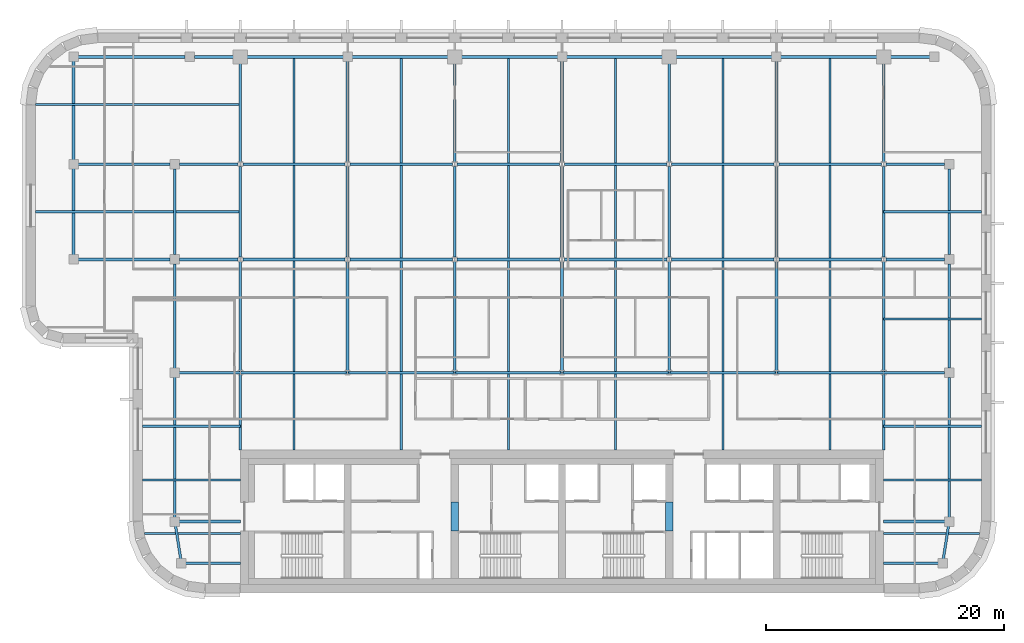
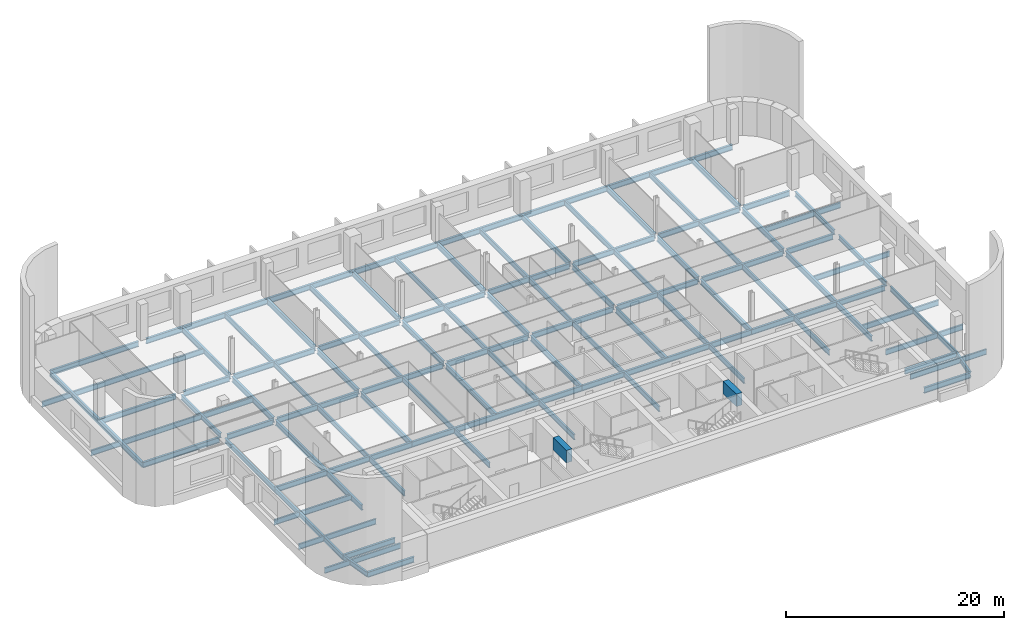
# One storey, part 5 of 16: 80 beams.
"""IFC4 building model written with IfcOpenShell, lengths in metres."""

from ifc_helpers import new_model, si_unit, direction, frame, origin, origin_2d, place, context, subcontext, project, spatial, rectangle, i_section, extrude, material, material_profile, profile_set, type_object, element, save


model = new_model("IFC4")

# Units and contexts
model_context = context("Model", 3, precision=1e-05, world=origin(), true_north=direction((0.0, 1.0)))
body_context = subcontext(model_context, "Body", "Model", "MODEL_VIEW")
ifc_project = project(units=[si_unit("LENGTHUNIT", "METRE"), si_unit("AREAUNIT", "SQUARE_METRE"), si_unit("VOLUMEUNIT", "CUBIC_METRE"), si_unit("PLANEANGLEUNIT", "RADIAN"), si_unit("MASSUNIT", "GRAM", prefix="KILO")], contexts=[model_context])

# Site, building, storey
site_placement = place(None, origin())
site = spatial("IfcSite", under=ifc_project, at=site_placement, CompositionType="ELEMENT")
building_placement = place(site_placement, origin())
building = spatial("IfcBuilding", under=site, at=building_placement, Name="Zellij Exchange Tower", CompositionType="ELEMENT")
storey_placement = place(building_placement, frame((0.0, 0.0, 244.5)))
storey = spatial("IfcBuildingStorey", under=building, at=storey_placement, Name="L57", CompositionType="ELEMENT", Elevation=244.5)

# Beams
ifc_material_1 = material(Name="Concrete C50/60", Category="concrete")
ifc_material_profile_1 = material_profile(ifc_material_1, rectangle(XDim=0.60009765625, YDim=1.39990234375, at=origin_2d()), Name="CORE-CB 600x1400 C50/60")
ifc_profile_set_1 = profile_set([ifc_material_profile_1], Name="Concrete C50/60")
beam_type_1 = type_object("IfcBeamType", Name="CORE-CB 600x1400 C50/60", PredefinedType="BEAM", material=ifc_profile_set_1)
for number, where, z_axis, x_axis, name in (
    (1, (-9.0, -8.800048828125, 3.10009765625), (0.0, 1.0, 0.0), (-1.0, 0.0, 0.0), "Core coupling beam x -9 L57"),
    (2, (9.0, -8.800048828125, 3.10009765625), (0.0, 1.0, 0.0), (-1.0, 0.0, 0.0), "Core coupling beam x 9 L57"),
):
    element("IfcBeam", number, at=place(storey_placement, frame(where, z_axis=z_axis, x_axis=x_axis)), inside=storey, type_object=beam_type_1, Name=name, PredefinedType="BEAM", context=body_context, shape_type="SweptSolid", body=[
        extrude(rectangle(XDim=0.60009765625, YDim=1.39990234375, at=origin_2d()), origin(), (0.0, 0.0, 1.0), 2.425048828125),
    ])
ifc_material_2 = material(Name="Structural steel ASTM A992 Gr 50", Category="steel")
ifc_material_profile_2 = material_profile(ifc_material_2, i_section(OverallWidth=0.177978515625, OverallDepth=0.599365234375, WebThickness=0.010009765625, FlangeThickness=0.012939453125, at=origin_2d()), Name="W24x55")
ifc_profile_set_2 = profile_set([ifc_material_profile_2], Name="Structural steel ASTM A992 Gr 50")
beam_type_2 = type_object("IfcBeamType", Name="STR-BEAM W24x55", PredefinedType="BEAM", material=ifc_profile_set_2)
for number, where, z_axis, x_axis, name in (
    (3, (-22.5, -2.0, -0.499755859375), (0.0, 1.0, 0.0), (-1.0, 0.0, 0.0), "B4"),
    (4, (-13.5, -2.0, -0.499755859375), (0.0, 1.0, 0.0), (-1.0, 0.0, 0.0), "B4"),
    (5, (-4.5, -2.0, -0.499755859375), (0.0, 1.0, 0.0), (-1.0, 0.0, 0.0), "B4"),
    (6, (4.5, -2.0, -0.499755859375), (0.0, 1.0, 0.0), (-1.0, 0.0, 0.0), "B4"),
    (7, (13.5, -2.0, -0.499755859375), (0.0, 1.0, 0.0), (-1.0, 0.0, 0.0), "B4"),
    (8, (22.5, -2.0, -0.499755859375), (0.0, 1.0, 0.0), (-1.0, 0.0, 0.0), "B4"),
):
    element("IfcBeam", number, at=place(storey_placement, frame(where, z_axis=z_axis, x_axis=x_axis)), inside=storey, type_object=beam_type_2, Name=name, PredefinedType="BEAM", context=body_context, shape_type="SweptSolid", body=[
        extrude(i_section(OverallWidth=0.177978515625, OverallDepth=0.599365234375, WebThickness=0.010009765625, FlangeThickness=0.012939453125, at=origin_2d()), origin(), (0.0, 0.0, 1.0), 33.1142578125),
    ])
beam_1_placement = place(storey_placement, frame((-35.06103515625, -9.0, -0.499755859375), z_axis=(1.0, 0.0, 0.0), x_axis=(0.0, 1.0, 0.0)))
element("IfcBeam", 9, at=beam_1_placement, inside=storey, type_object=beam_type_2, Name="B4", PredefinedType="BEAM", context=body_context, shape_type="SweptSolid", body=[
    extrude(i_section(OverallWidth=0.177978515625, OverallDepth=0.599365234375, WebThickness=0.010009765625, FlangeThickness=0.012939453125, at=origin_2d()), origin(), (0.0, 0.0, 1.0), 8.06103515625),
])
for number, where, z_axis, x_axis, name in (
    (10, (-35.199951171875, -4.5, -0.499755859375), (1.0, 0.0, 0.0), (0.0, 1.0, 0.0), "B4"),
    (11, (-35.199951171875, 0.0, -0.499755859375), (1.0, 0.0, 0.0), (0.0, 1.0, 0.0), "B4"),
):
    element("IfcBeam", number, at=place(storey_placement, frame(where, z_axis=z_axis, x_axis=x_axis)), inside=storey, type_object=beam_type_2, Name=name, PredefinedType="BEAM", context=body_context, shape_type="SweptSolid", body=[
        extrude(i_section(OverallWidth=0.177978515625, OverallDepth=0.599365234375, WebThickness=0.010009765625, FlangeThickness=0.012939453125, at=origin_2d()), origin(), (0.0, 0.0, 1.0), 8.199951171875),
    ])
beam_2_placement = place(storey_placement, frame((-44.199951171875, 18.0, -0.499755859375), z_axis=(1.0, 0.0, 0.0), x_axis=(0.0, 1.0, 0.0)))
element("IfcBeam", 12, at=beam_2_placement, inside=storey, type_object=beam_type_2, Name="B4", PredefinedType="BEAM", context=body_context, shape_type="SweptSolid", body=[
    extrude(i_section(OverallWidth=0.177978515625, OverallDepth=0.599365234375, WebThickness=0.010009765625, FlangeThickness=0.012939453125, at=origin_2d()), origin(), (0.0, 0.0, 1.0), 17.199951171875),
])
beam_3_placement = place(storey_placement, frame((-44.193115234375, 27.0, -0.499755859375), z_axis=(1.0, 0.0, 0.0), x_axis=(0.0, 1.0, 0.0)))
element("IfcBeam", 13, at=beam_3_placement, inside=storey, type_object=beam_type_2, Name="B4", PredefinedType="BEAM", context=body_context, shape_type="SweptSolid", body=[
    extrude(i_section(OverallWidth=0.177978515625, OverallDepth=0.599365234375, WebThickness=0.010009765625, FlangeThickness=0.012939453125, at=origin_2d()), origin(), (0.0, 0.0, 1.0), 17.193115234375),
])
beam_4_placement = place(storey_placement, frame((27.0, -9.0, -0.499755859375), z_axis=(1.0, 0.0, 0.0), x_axis=(0.0, 1.0, 0.0)))
element("IfcBeam", 14, at=beam_4_placement, inside=storey, type_object=beam_type_2, Name="B4", PredefinedType="BEAM", context=body_context, shape_type="SweptSolid", body=[
    extrude(i_section(OverallWidth=0.177978515625, OverallDepth=0.599365234375, WebThickness=0.010009765625, FlangeThickness=0.012939453125, at=origin_2d()), origin(), (0.0, 0.0, 1.0), 8.06103515625),
])
for number, where, z_axis, x_axis, name in (
    (15, (27.0, -4.5, -0.499755859375), (1.0, 0.0, 0.0), (0.0, 1.0, 0.0), "B4"),
    (16, (27.0, 0.0, -0.499755859375), (1.0, 0.0, 0.0), (0.0, 1.0, 0.0), "B4"),
    (17, (27.0, 9.0, -0.499755859375), (1.0, 0.0, 0.0), (0.0, 1.0, 0.0), "B4"),
    (18, (27.0, 18.0, -0.499755859375), (1.0, 0.0, 0.0), (0.0, 1.0, 0.0), "B4"),
):
    element("IfcBeam", number, at=place(storey_placement, frame(where, z_axis=z_axis, x_axis=x_axis)), inside=storey, type_object=beam_type_2, Name=name, PredefinedType="BEAM", context=body_context, shape_type="SweptSolid", body=[
        extrude(i_section(OverallWidth=0.177978515625, OverallDepth=0.599365234375, WebThickness=0.010009765625, FlangeThickness=0.012939453125, at=origin_2d()), origin(), (0.0, 0.0, 1.0), 8.199951171875),
    ])
ifc_material_profile_3 = material_profile(ifc_material_2, i_section(OverallWidth=0.209228515625, OverallDepth=0.533447265625, WebThickness=0.01025390625, FlangeThickness=0.015625, at=origin_2d()), Name="W21x62")
ifc_profile_set_3 = profile_set([ifc_material_profile_3], Name="Structural steel ASTM A992 Gr 50")
beam_type_3 = type_object("IfcBeamType", Name="STR-EDGE GIRDER W21x62", PredefinedType="BEAM", material=ifc_profile_set_3)
beam_5_placement = place(storey_placement, frame((-31.949951171875, -11.5, -0.466796875), z_axis=(-0.155251283593, 0.987875011802, 0.0), x_axis=(-0.987875011802, -0.155251283593, 0.0)))
element("IfcBeam", 19, at=beam_5_placement, inside=storey, type_object=beam_type_3, Name="EB3", PredefinedType="BEAM", context=body_context, shape_type="SweptSolid", body=[
    extrude(i_section(OverallWidth=0.209228515625, OverallDepth=0.533447265625, WebThickness=0.01025390625, FlangeThickness=0.015625, at=origin_2d()), origin(), (0.0, 0.0, 1.0), 3.54296875),
])
beam_6_placement = place(storey_placement, frame((-32.5, -8.0, -0.466796875), z_axis=(0.0, 1.0, 0.0), x_axis=(-1.0, 0.0, 0.0)))
element("IfcBeam", 20, at=beam_6_placement, inside=storey, type_object=beam_type_3, Name="EB3", PredefinedType="BEAM", context=body_context, shape_type="SweptSolid", body=[
    extrude(i_section(OverallWidth=0.209228515625, OverallDepth=0.533447265625, WebThickness=0.01025390625, FlangeThickness=0.015625, at=origin_2d()), origin(), (0.0, 0.0, 1.0), 12.5),
])
beam_7_placement = place(storey_placement, frame((-32.5, 4.5, -0.466796875), z_axis=(0.0, 1.0, 0.0), x_axis=(-1.0, 0.0, 0.0)))
element("IfcBeam", 21, at=beam_7_placement, inside=storey, type_object=beam_type_3, Name="EB3", PredefinedType="BEAM", context=body_context, shape_type="SweptSolid", body=[
    extrude(i_section(OverallWidth=0.209228515625, OverallDepth=0.533447265625, WebThickness=0.01025390625, FlangeThickness=0.015625, at=origin_2d()), origin(), (0.0, 0.0, 1.0), 9.10009765625),
])
beam_8_placement = place(storey_placement, frame((-32.5, 14.39990234375, -0.466796875), z_axis=(0.0, 1.0, 0.0), x_axis=(-1.0, 0.0, 0.0)))
element("IfcBeam", 22, at=beam_8_placement, inside=storey, type_object=beam_type_3, Name="EB3", PredefinedType="BEAM", context=body_context, shape_type="SweptSolid", body=[
    extrude(i_section(OverallWidth=0.209228515625, OverallDepth=0.533447265625, WebThickness=0.01025390625, FlangeThickness=0.015625, at=origin_2d()), origin(), (0.0, 0.0, 1.0), 7.2001953125),
])
beam_9_placement = place(storey_placement, frame((31.949951171875, -11.5, -0.466796875), z_axis=(0.155251283593, 0.987875011802, 0.0), x_axis=(-0.987875011802, 0.155251283593, 0.0)))
element("IfcBeam", 23, at=beam_9_placement, inside=storey, type_object=beam_type_3, Name="EB3", PredefinedType="BEAM", context=body_context, shape_type="SweptSolid", body=[
    extrude(i_section(OverallWidth=0.209228515625, OverallDepth=0.533447265625, WebThickness=0.01025390625, FlangeThickness=0.015625, at=origin_2d()), origin(), (0.0, 0.0, 1.0), 3.54296875),
])
beam_10_placement = place(storey_placement, frame((32.5, -8.0, -0.466796875), z_axis=(0.0, 1.0, 0.0), x_axis=(-1.0, 0.0, 0.0)))
element("IfcBeam", 24, at=beam_10_placement, inside=storey, type_object=beam_type_3, Name="EB3", PredefinedType="BEAM", context=body_context, shape_type="SweptSolid", body=[
    extrude(i_section(OverallWidth=0.209228515625, OverallDepth=0.533447265625, WebThickness=0.01025390625, FlangeThickness=0.015625, at=origin_2d()), origin(), (0.0, 0.0, 1.0), 12.10009765625),
])
beam_11_placement = place(storey_placement, frame((32.5, 4.89990234375, -0.466796875), z_axis=(0.0, 1.0, 0.0), x_axis=(-1.0, 0.0, 0.0)))
element("IfcBeam", 25, at=beam_11_placement, inside=storey, type_object=beam_type_3, Name="EB3", PredefinedType="BEAM", context=body_context, shape_type="SweptSolid", body=[
    extrude(i_section(OverallWidth=0.209228515625, OverallDepth=0.533447265625, WebThickness=0.01025390625, FlangeThickness=0.015625, at=origin_2d()), origin(), (0.0, 0.0, 1.0), 8.7001953125),
])
beam_12_placement = place(storey_placement, frame((32.5, 14.39990234375, -0.466796875), z_axis=(0.0, 1.0, 0.0), x_axis=(-1.0, 0.0, 0.0)))
element("IfcBeam", 26, at=beam_12_placement, inside=storey, type_object=beam_type_3, Name="EB3", PredefinedType="BEAM", context=body_context, shape_type="SweptSolid", body=[
    extrude(i_section(OverallWidth=0.209228515625, OverallDepth=0.533447265625, WebThickness=0.01025390625, FlangeThickness=0.015625, at=origin_2d()), origin(), (0.0, 0.0, 1.0), 7.2001953125),
])
ifc_material_profile_4 = material_profile(ifc_material_2, i_section(OverallWidth=0.228271484375, OverallDepth=0.607177734375, WebThickness=0.01123046875, FlangeThickness=0.017333984375, at=origin_2d()), Name="W24x76")
ifc_profile_set_4 = profile_set([ifc_material_profile_4], Name="Structural steel ASTM A992 Gr 50")
beam_type_4 = type_object("IfcBeamType", Name="STR-GIRDER W24x76", PredefinedType="BEAM", material=ifc_profile_set_4)
for number, where, z_axis, x_axis, name in (
    (27, (-31.949951171875, -11.5, -0.50341796875), (1.0, 0.0, 0.0), (0.0, 1.0, 0.0), "G2"),
    (28, (27.0, -11.5, -0.50341796875), (1.0, 0.0, 0.0), (0.0, 1.0, 0.0), "G2"),
):
    element("IfcBeam", number, at=place(storey_placement, frame(where, z_axis=z_axis, x_axis=x_axis)), inside=storey, type_object=beam_type_4, Name=name, PredefinedType="BEAM", context=body_context, shape_type="SweptSolid", body=[
        extrude(i_section(OverallWidth=0.228271484375, OverallDepth=0.607177734375, WebThickness=0.01123046875, FlangeThickness=0.017333984375, at=origin_2d()), origin(), (0.0, 0.0, 1.0), 4.949951171875),
    ])
for number, where, z_axis, x_axis, name in (
    (29, (-32.5, -8.0, -0.50341796875), (1.0, 0.0, 0.0), (0.0, 1.0, 0.0), "G2"),
    (30, (27.0, -8.0, -0.50341796875), (1.0, 0.0, 0.0), (0.0, 1.0, 0.0), "G2"),
):
    element("IfcBeam", number, at=place(storey_placement, frame(where, z_axis=z_axis, x_axis=x_axis)), inside=storey, type_object=beam_type_4, Name=name, PredefinedType="BEAM", context=body_context, shape_type="SweptSolid", body=[
        extrude(i_section(OverallWidth=0.228271484375, OverallDepth=0.607177734375, WebThickness=0.01123046875, FlangeThickness=0.017333984375, at=origin_2d()), origin(), (0.0, 0.0, 1.0), 5.5),
    ])
beam_13_placement = place(storey_placement, frame((-32.5, 4.5, -0.50341796875), z_axis=(1.0, 0.0, 0.0), x_axis=(0.0, 1.0, 0.0)))
element("IfcBeam", 31, at=beam_13_placement, inside=storey, type_object=beam_type_4, Name="G2", PredefinedType="BEAM", context=body_context, shape_type="SweptSolid", body=[
    extrude(i_section(OverallWidth=0.228271484375, OverallDepth=0.607177734375, WebThickness=0.01123046875, FlangeThickness=0.017333984375, at=origin_2d()), origin(), (0.0, 0.0, 1.0), 14.5),
])
for number, where, z_axis, x_axis, name in (
    (32, (-18.0, 4.5, -0.50341796875), (1.0, 0.0, 0.0), (0.0, 1.0, 0.0), "G2"),
    (33, (0.0, 4.5, -0.50341796875), (1.0, 0.0, 0.0), (0.0, 1.0, 0.0), "G2"),
):
    element("IfcBeam", number, at=place(storey_placement, frame(where, z_axis=z_axis, x_axis=x_axis)), inside=storey, type_object=beam_type_4, Name=name, PredefinedType="BEAM", context=body_context, shape_type="SweptSolid", body=[
        extrude(i_section(OverallWidth=0.228271484375, OverallDepth=0.607177734375, WebThickness=0.01123046875, FlangeThickness=0.017333984375, at=origin_2d()), origin(), (0.0, 0.0, 1.0), 18.0),
    ])
beam_14_placement = place(storey_placement, frame((18.0, 4.5, -0.50341796875), z_axis=(1.0, 0.0, 0.0), x_axis=(0.0, 1.0, 0.0)))
element("IfcBeam", 34, at=beam_14_placement, inside=storey, type_object=beam_type_4, Name="G2", PredefinedType="BEAM", context=body_context, shape_type="SweptSolid", body=[
    extrude(i_section(OverallWidth=0.228271484375, OverallDepth=0.607177734375, WebThickness=0.01123046875, FlangeThickness=0.017333984375, at=origin_2d()), origin(), (0.0, 0.0, 1.0), 14.10009765625),
])
beam_15_placement = place(storey_placement, frame((-41.0, 14.0, -0.50341796875), z_axis=(1.0, 0.0, 0.0), x_axis=(0.0, 1.0, 0.0)))
element("IfcBeam", 35, at=beam_15_placement, inside=storey, type_object=beam_type_4, Name="G2", PredefinedType="BEAM", context=body_context, shape_type="SweptSolid", body=[
    extrude(i_section(OverallWidth=0.228271484375, OverallDepth=0.607177734375, WebThickness=0.01123046875, FlangeThickness=0.017333984375, at=origin_2d()), origin(), (0.0, 0.0, 1.0), 8.10009765625),
])
beam_16_placement = place(storey_placement, frame((-32.10009765625, 14.0, -0.50341796875), z_axis=(1.0, 0.0, 0.0), x_axis=(0.0, 1.0, 0.0)))
element("IfcBeam", 36, at=beam_16_placement, inside=storey, type_object=beam_type_4, Name="G2", PredefinedType="BEAM", context=body_context, shape_type="SweptSolid", body=[
    extrude(i_section(OverallWidth=0.228271484375, OverallDepth=0.607177734375, WebThickness=0.01123046875, FlangeThickness=0.017333984375, at=origin_2d()), origin(), (0.0, 0.0, 1.0), 4.900634765625),
])
for number, where, z_axis, x_axis, name in (
    (37, (-26.800537109375, 14.0, -0.50341796875), (1.0, 0.0, 0.0), (0.0, 1.0, 0.0), "G2"),
    (38, (-17.800537109375, 14.0, -0.50341796875), (1.0, 0.0, 0.0), (0.0, 1.0, 0.0), "G2"),
    (39, (-8.800537109375, 14.0, -0.50341796875), (1.0, 0.0, 0.0), (0.0, 1.0, 0.0), "G2"),
    (40, (0.199462890625, 14.0, -0.50341796875), (1.0, 0.0, 0.0), (0.0, 1.0, 0.0), "G2"),
    (41, (9.199462890625, 14.0, -0.50341796875), (1.0, 0.0, 0.0), (0.0, 1.0, 0.0), "G2"),
    (42, (18.199462890625, 14.0, -0.50341796875), (1.0, 0.0, 0.0), (0.0, 1.0, 0.0), "G2"),
):
    element("IfcBeam", number, at=place(storey_placement, frame(where, z_axis=z_axis, x_axis=x_axis)), inside=storey, type_object=beam_type_4, Name=name, PredefinedType="BEAM", context=body_context, shape_type="SweptSolid", body=[
        extrude(i_section(OverallWidth=0.228271484375, OverallDepth=0.607177734375, WebThickness=0.01123046875, FlangeThickness=0.017333984375, at=origin_2d()), origin(), (0.0, 0.0, 1.0), 8.60107421875),
    ])
beam_17_placement = place(storey_placement, frame((27.199462890625, 14.0, -0.50341796875), z_axis=(1.0, 0.0, 0.0), x_axis=(0.0, 1.0, 0.0)))
element("IfcBeam", 43, at=beam_17_placement, inside=storey, type_object=beam_type_4, Name="G2", PredefinedType="BEAM", context=body_context, shape_type="SweptSolid", body=[
    extrude(i_section(OverallWidth=0.228271484375, OverallDepth=0.607177734375, WebThickness=0.01123046875, FlangeThickness=0.017333984375, at=origin_2d()), origin(), (0.0, 0.0, 1.0), 4.900634765625),
])
beam_18_placement = place(storey_placement, frame((-41.0, 22.0, -0.50341796875), z_axis=(1.0, 0.0, 0.0), x_axis=(0.0, 1.0, 0.0)))
element("IfcBeam", 44, at=beam_18_placement, inside=storey, type_object=beam_type_4, Name="G2", PredefinedType="BEAM", context=body_context, shape_type="SweptSolid", body=[
    extrude(i_section(OverallWidth=0.228271484375, OverallDepth=0.607177734375, WebThickness=0.01123046875, FlangeThickness=0.017333984375, at=origin_2d()), origin(), (0.0, 0.0, 1.0), 8.10009765625),
])
beam_19_placement = place(storey_placement, frame((-32.10009765625, 22.0, -0.50341796875), z_axis=(1.0, 0.0, 0.0), x_axis=(0.0, 1.0, 0.0)))
element("IfcBeam", 45, at=beam_19_placement, inside=storey, type_object=beam_type_4, Name="G2", PredefinedType="BEAM", context=body_context, shape_type="SweptSolid", body=[
    extrude(i_section(OverallWidth=0.228271484375, OverallDepth=0.607177734375, WebThickness=0.01123046875, FlangeThickness=0.017333984375, at=origin_2d()), origin(), (0.0, 0.0, 1.0), 4.900634765625),
])
for number, where, z_axis, x_axis, name in (
    (46, (-26.800537109375, 22.0, -0.50341796875), (1.0, 0.0, 0.0), (0.0, 1.0, 0.0), "G2"),
    (47, (-17.800537109375, 22.0, -0.50341796875), (1.0, 0.0, 0.0), (0.0, 1.0, 0.0), "G2"),
    (48, (-8.800537109375, 22.0, -0.50341796875), (1.0, 0.0, 0.0), (0.0, 1.0, 0.0), "G2"),
    (49, (0.199462890625, 22.0, -0.50341796875), (1.0, 0.0, 0.0), (0.0, 1.0, 0.0), "G2"),
    (50, (9.199462890625, 22.0, -0.50341796875), (1.0, 0.0, 0.0), (0.0, 1.0, 0.0), "G2"),
    (51, (18.199462890625, 22.0, -0.50341796875), (1.0, 0.0, 0.0), (0.0, 1.0, 0.0), "G2"),
):
    element("IfcBeam", number, at=place(storey_placement, frame(where, z_axis=z_axis, x_axis=x_axis)), inside=storey, type_object=beam_type_4, Name=name, PredefinedType="BEAM", context=body_context, shape_type="SweptSolid", body=[
        extrude(i_section(OverallWidth=0.228271484375, OverallDepth=0.607177734375, WebThickness=0.01123046875, FlangeThickness=0.017333984375, at=origin_2d()), origin(), (0.0, 0.0, 1.0), 8.60107421875),
    ])
beam_20_placement = place(storey_placement, frame((27.199462890625, 22.0, -0.50341796875), z_axis=(1.0, 0.0, 0.0), x_axis=(0.0, 1.0, 0.0)))
element("IfcBeam", 52, at=beam_20_placement, inside=storey, type_object=beam_type_4, Name="G2", PredefinedType="BEAM", context=body_context, shape_type="SweptSolid", body=[
    extrude(i_section(OverallWidth=0.228271484375, OverallDepth=0.607177734375, WebThickness=0.01123046875, FlangeThickness=0.017333984375, at=origin_2d()), origin(), (0.0, 0.0, 1.0), 4.900634765625),
])
beam_21_placement = place(storey_placement, frame((-41.0, 31.0, -0.50341796875), z_axis=(1.0, 0.0, 0.0), x_axis=(0.0, 1.0, 0.0)))
element("IfcBeam", 53, at=beam_21_placement, inside=storey, type_object=beam_type_4, Name="G2", PredefinedType="BEAM", context=body_context, shape_type="SweptSolid", body=[
    extrude(i_section(OverallWidth=0.228271484375, OverallDepth=0.607177734375, WebThickness=0.01123046875, FlangeThickness=0.017333984375, at=origin_2d()), origin(), (0.0, 0.0, 1.0), 9.35009765625),
])
beam_22_placement = place(storey_placement, frame((-30.85009765625, 31.0, -0.50341796875), z_axis=(1.0, 0.0, 0.0), x_axis=(0.0, 1.0, 0.0)))
element("IfcBeam", 54, at=beam_22_placement, inside=storey, type_object=beam_type_4, Name="G2", PredefinedType="BEAM", context=body_context, shape_type="SweptSolid", body=[
    extrude(i_section(OverallWidth=0.228271484375, OverallDepth=0.607177734375, WebThickness=0.01123046875, FlangeThickness=0.017333984375, at=origin_2d()), origin(), (0.0, 0.0, 1.0), 3.85009765625),
])
for number, where, z_axis, x_axis, name in (
    (55, (-27.0, 31.0, -0.50341796875), (1.0, 0.0, 0.0), (0.0, 1.0, 0.0), "G2"),
    (56, (-9.0, 31.0, -0.50341796875), (1.0, 0.0, 0.0), (0.0, 1.0, 0.0), "G2"),
    (57, (9.0, 31.0, -0.50341796875), (1.0, 0.0, 0.0), (0.0, 1.0, 0.0), "G2"),
):
    element("IfcBeam", number, at=place(storey_placement, frame(where, z_axis=z_axis, x_axis=x_axis)), inside=storey, type_object=beam_type_4, Name=name, PredefinedType="BEAM", context=body_context, shape_type="SweptSolid", body=[
        extrude(i_section(OverallWidth=0.228271484375, OverallDepth=0.607177734375, WebThickness=0.01123046875, FlangeThickness=0.017333984375, at=origin_2d()), origin(), (0.0, 0.0, 1.0), 18.0),
    ])
beam_23_placement = place(storey_placement, frame((27.0, 31.0, -0.50341796875), z_axis=(1.0, 0.0, 0.0), x_axis=(0.0, 1.0, 0.0)))
element("IfcBeam", 58, at=beam_23_placement, inside=storey, type_object=beam_type_4, Name="G2", PredefinedType="BEAM", context=body_context, shape_type="SweptSolid", body=[
    extrude(i_section(OverallWidth=0.228271484375, OverallDepth=0.607177734375, WebThickness=0.01123046875, FlangeThickness=0.017333984375, at=origin_2d()), origin(), (0.0, 0.0, 1.0), 4.25),
])
beam_24_placement = place(storey_placement, frame((-41.0, 14.0, -0.50341796875), z_axis=(0.0, 1.0, 0.0), x_axis=(-1.0, 0.0, 0.0)))
element("IfcBeam", 59, at=beam_24_placement, inside=storey, type_object=beam_type_4, Name="G2", PredefinedType="BEAM", context=body_context, shape_type="SweptSolid", body=[
    extrude(i_section(OverallWidth=0.228271484375, OverallDepth=0.607177734375, WebThickness=0.01123046875, FlangeThickness=0.017333984375, at=origin_2d()), origin(), (0.0, 0.0, 1.0), 17.0),
])
beam_25_placement = place(storey_placement, frame((-27.0, -2.0, -0.50341796875), z_axis=(0.0, 1.0, 0.0), x_axis=(-1.0, 0.0, 0.0)))
element("IfcBeam", 60, at=beam_25_placement, inside=storey, type_object=beam_type_4, Name="G2", PredefinedType="BEAM", context=body_context, shape_type="SweptSolid", body=[
    extrude(i_section(OverallWidth=0.228271484375, OverallDepth=0.607177734375, WebThickness=0.01123046875, FlangeThickness=0.017333984375, at=origin_2d()), origin(), (0.0, 0.0, 1.0), 15.806884765625),
])
beam_26_placement = place(storey_placement, frame((-27.0, 14.193115234375, -0.50341796875), z_axis=(0.0, 1.0, 0.0), x_axis=(-1.0, 0.0, 0.0)))
element("IfcBeam", 61, at=beam_26_placement, inside=storey, type_object=beam_type_4, Name="G2", PredefinedType="BEAM", context=body_context, shape_type="SweptSolid", body=[
    extrude(i_section(OverallWidth=0.228271484375, OverallDepth=0.607177734375, WebThickness=0.01123046875, FlangeThickness=0.017333984375, at=origin_2d()), origin(), (0.0, 0.0, 1.0), 7.61376953125),
])
beam_27_placement = place(storey_placement, frame((-27.0, 22.193115234375, -0.50341796875), z_axis=(0.0, 1.0, 0.0), x_axis=(-1.0, 0.0, 0.0)))
element("IfcBeam", 62, at=beam_27_placement, inside=storey, type_object=beam_type_4, Name="G2", PredefinedType="BEAM", context=body_context, shape_type="SweptSolid", body=[
    extrude(i_section(OverallWidth=0.228271484375, OverallDepth=0.607177734375, WebThickness=0.01123046875, FlangeThickness=0.017333984375, at=origin_2d()), origin(), (0.0, 0.0, 1.0), 8.806884765625),
])
beam_28_placement = place(storey_placement, frame((-18.0, 4.5, -0.50341796875), z_axis=(0.0, 1.0, 0.0), x_axis=(-1.0, 0.0, 0.0)))
element("IfcBeam", 63, at=beam_28_placement, inside=storey, type_object=beam_type_4, Name="G2", PredefinedType="BEAM", context=body_context, shape_type="SweptSolid", body=[
    extrude(i_section(OverallWidth=0.228271484375, OverallDepth=0.607177734375, WebThickness=0.01123046875, FlangeThickness=0.017333984375, at=origin_2d()), origin(), (0.0, 0.0, 1.0), 9.306884765625),
])
beam_29_placement = place(storey_placement, frame((-18.0, 14.193115234375, -0.50341796875), z_axis=(0.0, 1.0, 0.0), x_axis=(-1.0, 0.0, 0.0)))
element("IfcBeam", 64, at=beam_29_placement, inside=storey, type_object=beam_type_4, Name="G2", PredefinedType="BEAM", context=body_context, shape_type="SweptSolid", body=[
    extrude(i_section(OverallWidth=0.228271484375, OverallDepth=0.607177734375, WebThickness=0.01123046875, FlangeThickness=0.017333984375, at=origin_2d()), origin(), (0.0, 0.0, 1.0), 7.61376953125),
])
beam_30_placement = place(storey_placement, frame((-18.0, 22.193115234375, -0.50341796875), z_axis=(0.0, 1.0, 0.0), x_axis=(-1.0, 0.0, 0.0)))
element("IfcBeam", 65, at=beam_30_placement, inside=storey, type_object=beam_type_4, Name="G2", PredefinedType="BEAM", context=body_context, shape_type="SweptSolid", body=[
    extrude(i_section(OverallWidth=0.228271484375, OverallDepth=0.607177734375, WebThickness=0.01123046875, FlangeThickness=0.017333984375, at=origin_2d()), origin(), (0.0, 0.0, 1.0), 8.806884765625),
])
beam_31_placement = place(storey_placement, frame((-9.0, 4.5, -0.50341796875), z_axis=(0.0, 1.0, 0.0), x_axis=(-1.0, 0.0, 0.0)))
element("IfcBeam", 66, at=beam_31_placement, inside=storey, type_object=beam_type_4, Name="G2", PredefinedType="BEAM", context=body_context, shape_type="SweptSolid", body=[
    extrude(i_section(OverallWidth=0.228271484375, OverallDepth=0.607177734375, WebThickness=0.01123046875, FlangeThickness=0.017333984375, at=origin_2d()), origin(), (0.0, 0.0, 1.0), 9.306884765625),
])
beam_32_placement = place(storey_placement, frame((-9.0, 14.193115234375, -0.50341796875), z_axis=(0.0, 1.0, 0.0), x_axis=(-1.0, 0.0, 0.0)))
element("IfcBeam", 67, at=beam_32_placement, inside=storey, type_object=beam_type_4, Name="G2", PredefinedType="BEAM", context=body_context, shape_type="SweptSolid", body=[
    extrude(i_section(OverallWidth=0.228271484375, OverallDepth=0.607177734375, WebThickness=0.01123046875, FlangeThickness=0.017333984375, at=origin_2d()), origin(), (0.0, 0.0, 1.0), 7.61376953125),
])
beam_33_placement = place(storey_placement, frame((-9.0, 22.193115234375, -0.50341796875), z_axis=(0.0, 1.0, 0.0), x_axis=(-1.0, 0.0, 0.0)))
element("IfcBeam", 68, at=beam_33_placement, inside=storey, type_object=beam_type_4, Name="G2", PredefinedType="BEAM", context=body_context, shape_type="SweptSolid", body=[
    extrude(i_section(OverallWidth=0.228271484375, OverallDepth=0.607177734375, WebThickness=0.01123046875, FlangeThickness=0.017333984375, at=origin_2d()), origin(), (0.0, 0.0, 1.0), 8.806884765625),
])
beam_34_placement = place(storey_placement, frame((0.0, 4.5, -0.50341796875), z_axis=(0.0, 1.0, 0.0), x_axis=(-1.0, 0.0, 0.0)))
element("IfcBeam", 69, at=beam_34_placement, inside=storey, type_object=beam_type_4, Name="G2", PredefinedType="BEAM", context=body_context, shape_type="SweptSolid", body=[
    extrude(i_section(OverallWidth=0.228271484375, OverallDepth=0.607177734375, WebThickness=0.01123046875, FlangeThickness=0.017333984375, at=origin_2d()), origin(), (0.0, 0.0, 1.0), 9.306884765625),
])
beam_35_placement = place(storey_placement, frame((0.0, 14.193115234375, -0.50341796875), z_axis=(0.0, 1.0, 0.0), x_axis=(-1.0, 0.0, 0.0)))
element("IfcBeam", 70, at=beam_35_placement, inside=storey, type_object=beam_type_4, Name="G2", PredefinedType="BEAM", context=body_context, shape_type="SweptSolid", body=[
    extrude(i_section(OverallWidth=0.228271484375, OverallDepth=0.607177734375, WebThickness=0.01123046875, FlangeThickness=0.017333984375, at=origin_2d()), origin(), (0.0, 0.0, 1.0), 7.61376953125),
])
beam_36_placement = place(storey_placement, frame((0.0, 22.193115234375, -0.50341796875), z_axis=(0.0, 1.0, 0.0), x_axis=(-1.0, 0.0, 0.0)))
element("IfcBeam", 71, at=beam_36_placement, inside=storey, type_object=beam_type_4, Name="G2", PredefinedType="BEAM", context=body_context, shape_type="SweptSolid", body=[
    extrude(i_section(OverallWidth=0.228271484375, OverallDepth=0.607177734375, WebThickness=0.01123046875, FlangeThickness=0.017333984375, at=origin_2d()), origin(), (0.0, 0.0, 1.0), 8.806884765625),
])
beam_37_placement = place(storey_placement, frame((9.0, 4.5, -0.50341796875), z_axis=(0.0, 1.0, 0.0), x_axis=(-1.0, 0.0, 0.0)))
element("IfcBeam", 72, at=beam_37_placement, inside=storey, type_object=beam_type_4, Name="G2", PredefinedType="BEAM", context=body_context, shape_type="SweptSolid", body=[
    extrude(i_section(OverallWidth=0.228271484375, OverallDepth=0.607177734375, WebThickness=0.01123046875, FlangeThickness=0.017333984375, at=origin_2d()), origin(), (0.0, 0.0, 1.0), 9.306884765625),
])
beam_38_placement = place(storey_placement, frame((9.0, 14.193115234375, -0.50341796875), z_axis=(0.0, 1.0, 0.0), x_axis=(-1.0, 0.0, 0.0)))
element("IfcBeam", 73, at=beam_38_placement, inside=storey, type_object=beam_type_4, Name="G2", PredefinedType="BEAM", context=body_context, shape_type="SweptSolid", body=[
    extrude(i_section(OverallWidth=0.228271484375, OverallDepth=0.607177734375, WebThickness=0.01123046875, FlangeThickness=0.017333984375, at=origin_2d()), origin(), (0.0, 0.0, 1.0), 7.61376953125),
])
beam_39_placement = place(storey_placement, frame((9.0, 22.193115234375, -0.50341796875), z_axis=(0.0, 1.0, 0.0), x_axis=(-1.0, 0.0, 0.0)))
element("IfcBeam", 74, at=beam_39_placement, inside=storey, type_object=beam_type_4, Name="G2", PredefinedType="BEAM", context=body_context, shape_type="SweptSolid", body=[
    extrude(i_section(OverallWidth=0.228271484375, OverallDepth=0.607177734375, WebThickness=0.01123046875, FlangeThickness=0.017333984375, at=origin_2d()), origin(), (0.0, 0.0, 1.0), 8.806884765625),
])
beam_40_placement = place(storey_placement, frame((18.0, 4.5, -0.50341796875), z_axis=(0.0, 1.0, 0.0), x_axis=(-1.0, 0.0, 0.0)))
element("IfcBeam", 75, at=beam_40_placement, inside=storey, type_object=beam_type_4, Name="G2", PredefinedType="BEAM", context=body_context, shape_type="SweptSolid", body=[
    extrude(i_section(OverallWidth=0.228271484375, OverallDepth=0.607177734375, WebThickness=0.01123046875, FlangeThickness=0.017333984375, at=origin_2d()), origin(), (0.0, 0.0, 1.0), 9.306884765625),
])
beam_41_placement = place(storey_placement, frame((18.0, 14.193115234375, -0.50341796875), z_axis=(0.0, 1.0, 0.0), x_axis=(-1.0, 0.0, 0.0)))
element("IfcBeam", 76, at=beam_41_placement, inside=storey, type_object=beam_type_4, Name="G2", PredefinedType="BEAM", context=body_context, shape_type="SweptSolid", body=[
    extrude(i_section(OverallWidth=0.228271484375, OverallDepth=0.607177734375, WebThickness=0.01123046875, FlangeThickness=0.017333984375, at=origin_2d()), origin(), (0.0, 0.0, 1.0), 7.61376953125),
])
beam_42_placement = place(storey_placement, frame((18.0, 22.193115234375, -0.50341796875), z_axis=(0.0, 1.0, 0.0), x_axis=(-1.0, 0.0, 0.0)))
element("IfcBeam", 77, at=beam_42_placement, inside=storey, type_object=beam_type_4, Name="G2", PredefinedType="BEAM", context=body_context, shape_type="SweptSolid", body=[
    extrude(i_section(OverallWidth=0.228271484375, OverallDepth=0.607177734375, WebThickness=0.01123046875, FlangeThickness=0.017333984375, at=origin_2d()), origin(), (0.0, 0.0, 1.0), 8.806884765625),
])
beam_43_placement = place(storey_placement, frame((27.0, -2.0, -0.50341796875), z_axis=(0.0, 1.0, 0.0), x_axis=(-1.0, 0.0, 0.0)))
element("IfcBeam", 78, at=beam_43_placement, inside=storey, type_object=beam_type_4, Name="G2", PredefinedType="BEAM", context=body_context, shape_type="SweptSolid", body=[
    extrude(i_section(OverallWidth=0.228271484375, OverallDepth=0.607177734375, WebThickness=0.01123046875, FlangeThickness=0.017333984375, at=origin_2d()), origin(), (0.0, 0.0, 1.0), 15.806884765625),
])
beam_44_placement = place(storey_placement, frame((27.0, 14.193115234375, -0.50341796875), z_axis=(0.0, 1.0, 0.0), x_axis=(-1.0, 0.0, 0.0)))
element("IfcBeam", 79, at=beam_44_placement, inside=storey, type_object=beam_type_4, Name="G2", PredefinedType="BEAM", context=body_context, shape_type="SweptSolid", body=[
    extrude(i_section(OverallWidth=0.228271484375, OverallDepth=0.607177734375, WebThickness=0.01123046875, FlangeThickness=0.017333984375, at=origin_2d()), origin(), (0.0, 0.0, 1.0), 7.61376953125),
])
beam_45_placement = place(storey_placement, frame((27.0, 22.193115234375, -0.50341796875), z_axis=(0.0, 1.0, 0.0), x_axis=(-1.0, 0.0, 0.0)))
element("IfcBeam", 80, at=beam_45_placement, inside=storey, type_object=beam_type_4, Name="G2", PredefinedType="BEAM", context=body_context, shape_type="SweptSolid", body=[
    extrude(i_section(OverallWidth=0.228271484375, OverallDepth=0.607177734375, WebThickness=0.01123046875, FlangeThickness=0.017333984375, at=origin_2d()), origin(), (0.0, 0.0, 1.0), 8.806884765625),
])

save(model, "model.ifc")
